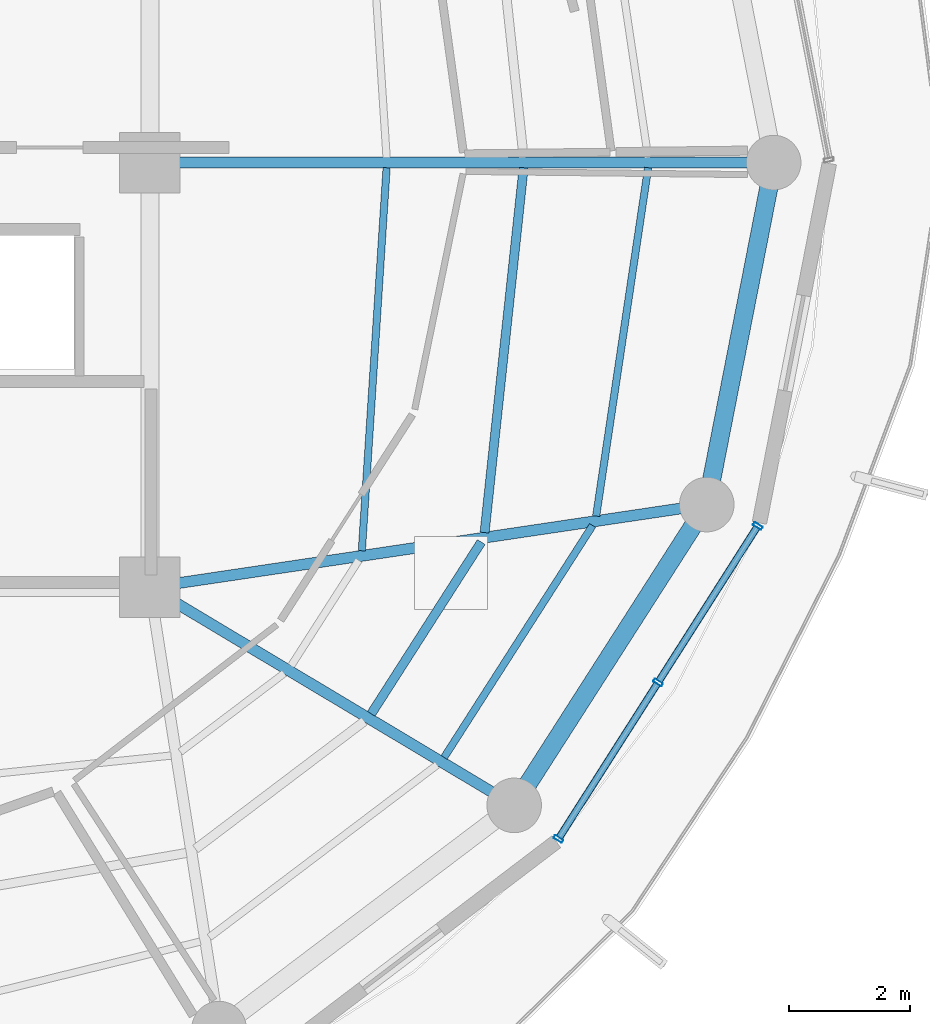
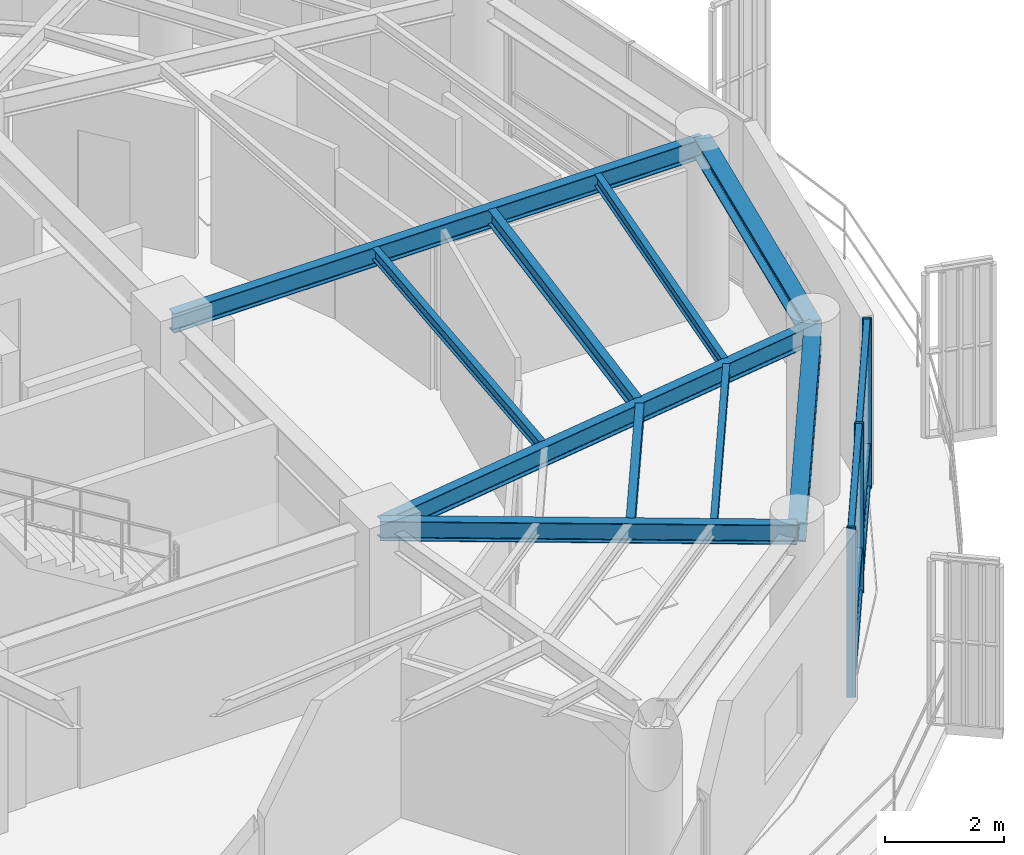
# One storey, part 10 of 23: 10 beams, 9 members, 1 element without a shape of its own.
"""IFC4 building model written with IfcOpenShell, lengths in metres."""

from ifc_helpers import new_model, si_unit, direction, frame, origin, origin_2d, place, context, subcontext, project, spatial, hollow_rectangle, i_section, extrude, material, layer, layer_set, material_profile, profile_set, type_object, element, aggregate, save


model = new_model("IFC4")

# Units and contexts
model_context = context("Model", 3, precision=1e-05, world=origin(), true_north=direction((0.0, 1.0)))
body_context = subcontext(model_context, "Body", "Model", "MODEL_VIEW")
ifc_project = project(units=[si_unit("LENGTHUNIT", "METRE"), si_unit("AREAUNIT", "SQUARE_METRE"), si_unit("VOLUMEUNIT", "CUBIC_METRE"), si_unit("PLANEANGLEUNIT", "RADIAN"), si_unit("MASSUNIT", "GRAM", prefix="KILO")], contexts=[model_context])

# Site, building, storey
site_placement = place(None, origin())
site = spatial("IfcSite", under=ifc_project, at=site_placement, CompositionType="ELEMENT")
building_placement = place(site_placement, origin())
building = spatial("IfcBuilding", under=site, at=building_placement, Name="Kelanora Arch Commons", CompositionType="ELEMENT")
storey_placement = place(building_placement, frame((0.0, 0.0, 278.699951171875)))
storey = spatial("IfcBuildingStorey", under=building, at=storey_placement, Name="L71", CompositionType="ELEMENT", Elevation=278.699951171875)

# Beams
ifc_material_1 = material(Name="Steel S355", Category="steel")
ifc_material_profile_1 = material_profile(ifc_material_1, i_section(OverallWidth=0.14990234375, OverallDepth=0.300048828125, WebThickness=0.007080078125, FlangeThickness=0.0107421875, FilletRadius=0.014892578125, at=origin_2d()), Name="IPE300")
ifc_profile_set_1 = profile_set([ifc_material_profile_1], Name="Steel S355")
beam_type_1 = type_object("IfcBeamType", Name="BM-JST-01", PredefinedType="JOIST", material=ifc_profile_set_1)
beam_1_placement = place(storey_placement, frame((85.647705078125, 48.915771484375, 3.340087890625), z_axis=(0.539321586177, 0.842099891155, 0.0), x_axis=(-0.842099891155, 0.539321586177, 0.0)))
element("IfcBeam", 1, at=beam_1_placement, inside=storey, type_object=beam_type_1, Name="Secondary Chord Joist BJB-32 L71", PredefinedType="JOIST", context=body_context, shape_type="SweptSolid", body=[
    extrude(i_section(OverallWidth=0.14990234375, OverallDepth=0.300048828125, WebThickness=0.007080078125, FlangeThickness=0.0107421875, FilletRadius=0.014892578125, at=origin_2d()), origin(), (0.0, 0.0, 1.0), 3.361572265625),
])
beam_2_placement = place(storey_placement, frame((87.515625, 51.902587890625, 3.340087890625), z_axis=(0.106380594087, 0.994325484538, 0.0), x_axis=(-0.994325484538, 0.106380594087, 0.0)))
element("IfcBeam", 2, at=beam_2_placement, inside=storey, type_object=beam_type_1, Name="Secondary Chord Joist BJB-34 L71", PredefinedType="JOIST", context=body_context, shape_type="SweptSolid", body=[
    extrude(i_section(OverallWidth=0.14990234375, OverallDepth=0.300048828125, WebThickness=0.007080078125, FlangeThickness=0.0107421875, FilletRadius=0.014892578125, at=origin_2d()), origin(), (0.0, 0.0, 1.0), 6.04736328125),
])
ifc_material_profile_2 = material_profile(ifc_material_1, i_section(OverallWidth=0.1201171875, OverallDepth=0.239990234375, WebThickness=0.006103515625, FlangeThickness=0.009765625, FilletRadius=0.014892578125, at=origin_2d()), Name="IPE240")
ifc_profile_set_2 = profile_set([ifc_material_profile_2], Name="Steel S355")
beam_type_2 = type_object("IfcBeamType", Name="BM-JST-02", PredefinedType="JOIST", material=ifc_profile_set_2)
beam_3_placement = place(storey_placement, frame((86.848388671875, 48.197021484375, 3.3701171875), z_axis=(0.539288735289, 0.842120929552, 0.0), x_axis=(-0.842120929552, 0.539288735289, 0.0)))
element("IfcBeam", 3, at=beam_3_placement, inside=storey, type_object=beam_type_2, Name="Secondary Chord Joist BJC-32 L71", PredefinedType="JOIST", context=body_context, shape_type="SweptSolid", body=[
    extrude(i_section(OverallWidth=0.1201171875, OverallDepth=0.239990234375, WebThickness=0.006103515625, FlangeThickness=0.009765625, FilletRadius=0.014892578125, at=origin_2d()), origin(), (0.0, 0.0, 1.0), 4.538818359375),
])
beam_4_placement = place(storey_placement, frame((85.492919921875, 51.60302734375, 3.3701171875), z_axis=(0.064495107978, 0.99791802321, 0.0), x_axis=(-0.99791802321, 0.064495107978, 0.0)))
element("IfcBeam", 4, at=beam_4_placement, inside=storey, type_object=beam_type_2, Name="Secondary Chord Joist BJA-34 L71", PredefinedType="JOIST", context=body_context, shape_type="SweptSolid", body=[
    extrude(i_section(OverallWidth=0.1201171875, OverallDepth=0.239990234375, WebThickness=0.006103515625, FlangeThickness=0.009765625, FilletRadius=0.014892578125, at=origin_2d()), origin(), (0.0, 0.0, 1.0), 6.325439453125),
])
beam_5_placement = place(storey_placement, frame((89.3544921875, 52.1748046875, 3.3701171875), z_axis=(0.14762470282, 0.989043450571, 0.0), x_axis=(-0.989043450571, 0.14762470282, 0.0)))
element("IfcBeam", 5, at=beam_5_placement, inside=storey, type_object=beam_type_2, Name="Secondary Chord Joist BJC-34 L71", PredefinedType="JOIST", context=body_context, shape_type="SweptSolid", body=[
    extrude(i_section(OverallWidth=0.1201171875, OverallDepth=0.239990234375, WebThickness=0.006103515625, FlangeThickness=0.009765625, FilletRadius=0.014892578125, at=origin_2d()), origin(), (0.0, 0.0, 1.0), 5.804931640625),
])
ifc_material_profile_3 = material_profile(ifc_material_1, i_section(OverallWidth=0.179931640625, OverallDepth=0.39990234375, WebThickness=0.008544921875, FlangeThickness=0.013427734375, FilletRadius=0.02099609375, at=origin_2d()), Name="IPE400")
ifc_profile_set_3 = profile_set([ifc_material_profile_3], Name="Steel S355")
beam_type_3 = type_object("IfcBeamType", Name="BM-RAD-Z5", PredefinedType="BEAM", material=ifc_profile_set_3)
beam_6_placement = place(storey_placement, frame((82.0, 58.0, 3.2900390625), z_axis=(1.0, 0.0, 0.0), x_axis=(0.0, 1.0, 0.0)))
element("IfcBeam", 6, at=beam_6_placement, inside=storey, type_object=beam_type_3, Name="Radial Floor Girder BR-00 L71", PredefinedType="BEAM", context=body_context, shape_type="SweptSolid", body=[
    extrude(i_section(OverallWidth=0.179931640625, OverallDepth=0.39990234375, WebThickness=0.008544921875, FlangeThickness=0.013427734375, FilletRadius=0.02099609375, at=origin_2d()), origin(), (0.0, 0.0, 1.0), 10.280029296875),
])
beam_7_placement = place(storey_placement, frame((82.0, 51.0, 3.2900390625), z_axis=(0.858062005744, -0.513546097541, 0.0), x_axis=(0.513546097541, 0.858062005744, 0.0)))
element("IfcBeam", 7, at=beam_7_placement, inside=storey, type_object=beam_type_3, Name="Radial Floor Girder BR-32 L71", PredefinedType="BEAM", context=body_context, shape_type="SweptSolid", body=[
    extrude(i_section(OverallWidth=0.179931640625, OverallDepth=0.39990234375, WebThickness=0.008544921875, FlangeThickness=0.013427734375, FilletRadius=0.02099609375, at=origin_2d()), origin(), (0.0, 0.0, 1.0), 6.99658203125),
])
beam_8_placement = place(storey_placement, frame((82.0, 51.0, 3.2900390625), z_axis=(0.989142485564, 0.146959665395, 0.0), x_axis=(-0.146959665395, 0.989142485564, 0.0)))
element("IfcBeam", 8, at=beam_8_placement, inside=storey, type_object=beam_type_3, Name="Radial Floor Girder BR-34 L71", PredefinedType="BEAM", context=body_context, shape_type="SweptSolid", body=[
    extrude(i_section(OverallWidth=0.179931640625, OverallDepth=0.39990234375, WebThickness=0.008544921875, FlangeThickness=0.013427734375, FilletRadius=0.02099609375, at=origin_2d()), origin(), (0.0, 0.0, 1.0), 9.2783203125),
])
ifc_material_profile_4 = material_profile(ifc_material_1, i_section(OverallWidth=0.300048828125, OverallDepth=0.39990234375, WebThickness=0.013427734375, FlangeThickness=0.02392578125, FilletRadius=0.027099609375, at=origin_2d()), Name="HEB400")
ifc_profile_set_4 = profile_set([ifc_material_profile_4], Name="Steel S355")
beam_type_4 = type_object("IfcBeamType", Name="BM-SPN-Z4", PredefinedType="SPANDREL", material=ifc_profile_set_4)
beam_9_placement = place(storey_placement, frame((88.00341796875, 47.406982421875, 3.2900390625), z_axis=(0.539280851353, 0.842125978322, 0.0), x_axis=(-0.842125978322, 0.539280851353, 0.0)))
element("IfcBeam", 9, at=beam_9_placement, inside=storey, type_object=beam_type_4, Name="Perimeter Spandrel Beam BS-32 L71", PredefinedType="SPANDREL", context=body_context, shape_type="SweptSolid", body=[
    extrude(i_section(OverallWidth=0.300048828125, OverallDepth=0.39990234375, WebThickness=0.013427734375, FlangeThickness=0.02392578125, FilletRadius=0.027099609375, at=origin_2d()), origin(), (0.0, 0.0, 1.0), 5.8857421875),
])
beam_10_placement = place(storey_placement, frame((91.177490234375, 52.363525390625, 3.2900390625), z_axis=(0.191969774604, 0.981400838413, 0.0), x_axis=(-0.981400838413, 0.191969774604, 0.0)))
element("IfcBeam", 10, at=beam_10_placement, inside=storey, type_object=beam_type_4, Name="Perimeter Spandrel Beam BS-34 L71", PredefinedType="SPANDREL", context=body_context, shape_type="SweptSolid", body=[
    extrude(i_section(OverallWidth=0.300048828125, OverallDepth=0.39990234375, WebThickness=0.013427734375, FlangeThickness=0.02392578125, FilletRadius=0.027099609375, at=origin_2d()), origin(), (0.0, 0.0, 1.0), 5.743408203125),
])

# Curtain wall, members
ifc_material_2 = material(Name="Terracotta ceramic-fritted low-E glass and aluminium", Category="masonry")
ifc_layer = layer(ifc_material_2, 0.18994140625)
ifc_layer_set = layer_set([ifc_layer], Name="Terracotta ceramic-fritted low-E glass and aluminium")
curtain_wall_type = type_object("IfcCurtainWallType", Name="CW-SYS-03", PredefinedType="NOTDEFINED", material=ifc_layer_set)
curtain_wall_placement = place(storey_placement, origin())
curtain_wall = element("IfcCurtainWall", 11, at=curtain_wall_placement, inside=storey, type_object=curtain_wall_type, Name="Unitised Curtain Wall L71-B16", PredefinedType="NOTDEFINED")
ifc_material_3 = material(Name="Powder-coated aluminium terracotta", Category="masonry")
ifc_material_profile_5 = material_profile(ifc_material_3, hollow_rectangle(XDim=0.159912109375, YDim=0.06005859375, WallThickness=0.0048828125, InnerFilletRadius=0.0048828125, OuterFilletRadius=0.010009765625, at=origin_2d()), Name="CWM160x60")
ifc_profile_set_5 = profile_set([ifc_material_profile_5], Name="Powder-coated aluminium terracotta")
member_type_1 = type_object("IfcMemberType", Name="CWM-STD", PredefinedType="MULLION", material=ifc_profile_set_5)
member_1_placement = place(storey_placement, frame((88.732421875, 46.853515625, 0.0), z_axis=(0.0, 0.0, 1.0), x_axis=(-0.843391314545, 0.537299814397, 0.0)))
member_1 = element("IfcMember", 12, at=member_1_placement, type_object=member_type_1, Name="CW-03 mullion 1", PredefinedType="MULLION", context=body_context, shape_type="SweptSolid", body=[
    extrude(hollow_rectangle(XDim=0.159912109375, YDim=0.06005859375, WallThickness=0.0048828125, InnerFilletRadius=0.0048828125, OuterFilletRadius=0.010009765625, at=origin_2d()), origin(), (0.0, 0.0, 1.0), 3.47509765625),
])
member_2_placement = place(storey_placement, frame((90.375, 49.43212890625, 0.0), z_axis=(0.0, 0.0, 1.0), x_axis=(-0.843391314545, 0.537299814397, 0.0)))
member_2 = element("IfcMember", 13, at=member_2_placement, type_object=member_type_1, Name="CW-03 mullion 2", PredefinedType="MULLION", context=body_context, shape_type="SweptSolid", body=[
    extrude(hollow_rectangle(XDim=0.159912109375, YDim=0.06005859375, WallThickness=0.0048828125, InnerFilletRadius=0.0048828125, OuterFilletRadius=0.010009765625, at=origin_2d()), origin(), (0.0, 0.0, 1.0), 3.47509765625),
])
member_3_placement = place(storey_placement, frame((92.017822265625, 52.0107421875, 0.0), z_axis=(0.0, 0.0, 1.0), x_axis=(-0.843391314545, 0.537299814397, 0.0)))
member_3 = element("IfcMember", 14, at=member_3_placement, type_object=member_type_1, Name="CW-03 mullion 3", PredefinedType="MULLION", context=body_context, shape_type="SweptSolid", body=[
    extrude(hollow_rectangle(XDim=0.159912109375, YDim=0.06005859375, WallThickness=0.0048828125, InnerFilletRadius=0.0048828125, OuterFilletRadius=0.010009765625, at=origin_2d()), origin(), (0.0, 0.0, 1.0), 3.47509765625),
])
ifc_material_profile_6 = material_profile(ifc_material_3, hollow_rectangle(XDim=0.1201171875, YDim=0.06005859375, WallThickness=0.0048828125, InnerFilletRadius=0.0048828125, OuterFilletRadius=0.010009765625, at=origin_2d()), Name="CWT120x60")
ifc_profile_set_6 = profile_set([ifc_material_profile_6], Name="Powder-coated aluminium terracotta")
member_type_2 = type_object("IfcMemberType", Name="CWT-STD", PredefinedType="USERDEFINED", material=ifc_profile_set_6)
member_4_placement = place(storey_placement, frame((88.74853515625, 46.87890625, 0.030029296875), z_axis=(0.537286543791, 0.84339976871, 0.0), x_axis=(-0.84339976871, 0.537286543791, 0.0)))
member_4 = element("IfcMember", 15, at=member_4_placement, type_object=member_type_2, Name="CW-03 transom 1.1", ObjectType="TRANSOM", PredefinedType="USERDEFINED", context=body_context, shape_type="SweptSolid", body=[
    extrude(hollow_rectangle(XDim=0.1201171875, YDim=0.06005859375, WallThickness=0.0048828125, InnerFilletRadius=0.0048828125, OuterFilletRadius=0.010009765625, at=origin_2d()), origin(), (0.0, 0.0, 1.0), 2.997314453125),
])
member_5_placement = place(storey_placement, frame((88.74853515625, 46.87890625, 0.900146484375), z_axis=(0.537286543791, 0.84339976871, 0.0), x_axis=(-0.84339976871, 0.537286543791, 0.0)))
member_5 = element("IfcMember", 16, at=member_5_placement, type_object=member_type_2, Name="CW-03 transom 1.2", ObjectType="TRANSOM", PredefinedType="USERDEFINED", context=body_context, shape_type="SweptSolid", body=[
    extrude(hollow_rectangle(XDim=0.1201171875, YDim=0.06005859375, WallThickness=0.0048828125, InnerFilletRadius=0.0048828125, OuterFilletRadius=0.010009765625, at=origin_2d()), origin(), (0.0, 0.0, 1.0), 2.997314453125),
])
member_6_placement = place(storey_placement, frame((88.74853515625, 46.87890625, 3.445068359375), z_axis=(0.537286543791, 0.84339976871, 0.0), x_axis=(-0.84339976871, 0.537286543791, 0.0)))
member_6 = element("IfcMember", 17, at=member_6_placement, type_object=member_type_2, Name="CW-03 transom 1.3", ObjectType="TRANSOM", PredefinedType="USERDEFINED", context=body_context, shape_type="SweptSolid", body=[
    extrude(hollow_rectangle(XDim=0.1201171875, YDim=0.06005859375, WallThickness=0.0048828125, InnerFilletRadius=0.0048828125, OuterFilletRadius=0.010009765625, at=origin_2d()), origin(), (0.0, 0.0, 1.0), 2.997314453125),
])
member_7_placement = place(storey_placement, frame((90.39111328125, 49.45751953125, 0.030029296875), z_axis=(0.537307571338, 0.843386372775, 0.0), x_axis=(-0.843386372775, 0.537307571338, 0.0)))
member_7 = element("IfcMember", 18, at=member_7_placement, type_object=member_type_2, Name="CW-03 transom 2.1", ObjectType="TRANSOM", PredefinedType="USERDEFINED", context=body_context, shape_type="SweptSolid", body=[
    extrude(hollow_rectangle(XDim=0.1201171875, YDim=0.06005859375, WallThickness=0.0048828125, InnerFilletRadius=0.0048828125, OuterFilletRadius=0.010009765625, at=origin_2d()), origin(), (0.0, 0.0, 1.0), 2.99755859375),
])
member_8_placement = place(storey_placement, frame((90.39111328125, 49.45751953125, 0.900146484375), z_axis=(0.537307571338, 0.843386372775, 0.0), x_axis=(-0.843386372775, 0.537307571338, 0.0)))
member_8 = element("IfcMember", 19, at=member_8_placement, type_object=member_type_2, Name="CW-03 transom 2.2", ObjectType="TRANSOM", PredefinedType="USERDEFINED", context=body_context, shape_type="SweptSolid", body=[
    extrude(hollow_rectangle(XDim=0.1201171875, YDim=0.06005859375, WallThickness=0.0048828125, InnerFilletRadius=0.0048828125, OuterFilletRadius=0.010009765625, at=origin_2d()), origin(), (0.0, 0.0, 1.0), 2.99755859375),
])
member_9_placement = place(storey_placement, frame((90.39111328125, 49.45751953125, 3.445068359375), z_axis=(0.537307571338, 0.843386372775, 0.0), x_axis=(-0.843386372775, 0.537307571338, 0.0)))
member_9 = element("IfcMember", 20, at=member_9_placement, type_object=member_type_2, Name="CW-03 transom 2.3", ObjectType="TRANSOM", PredefinedType="USERDEFINED", context=body_context, shape_type="SweptSolid", body=[
    extrude(hollow_rectangle(XDim=0.1201171875, YDim=0.06005859375, WallThickness=0.0048828125, InnerFilletRadius=0.0048828125, OuterFilletRadius=0.010009765625, at=origin_2d()), origin(), (0.0, 0.0, 1.0), 2.99755859375),
])
aggregate(curtain_wall, [member_1, member_2, member_3, member_4, member_5, member_6, member_7, member_8, member_9])

save(model, "model.ifc")
